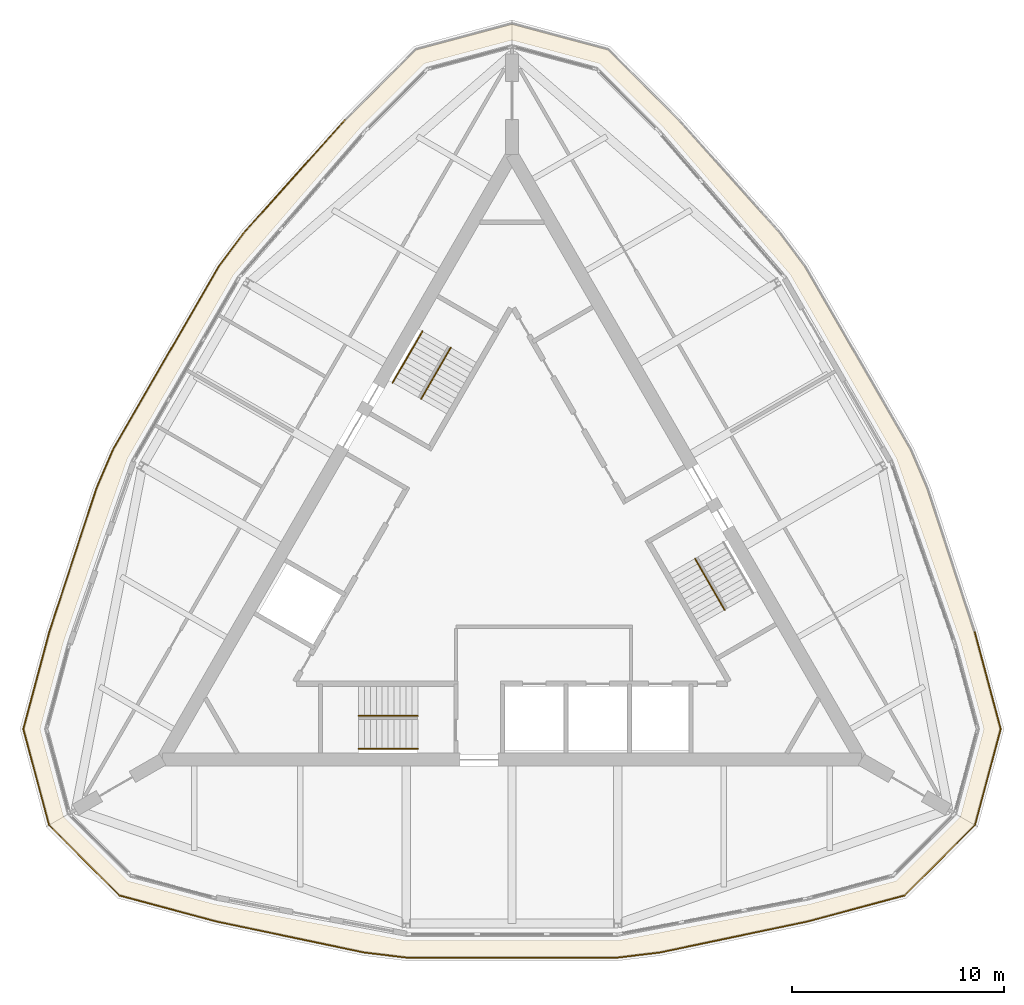
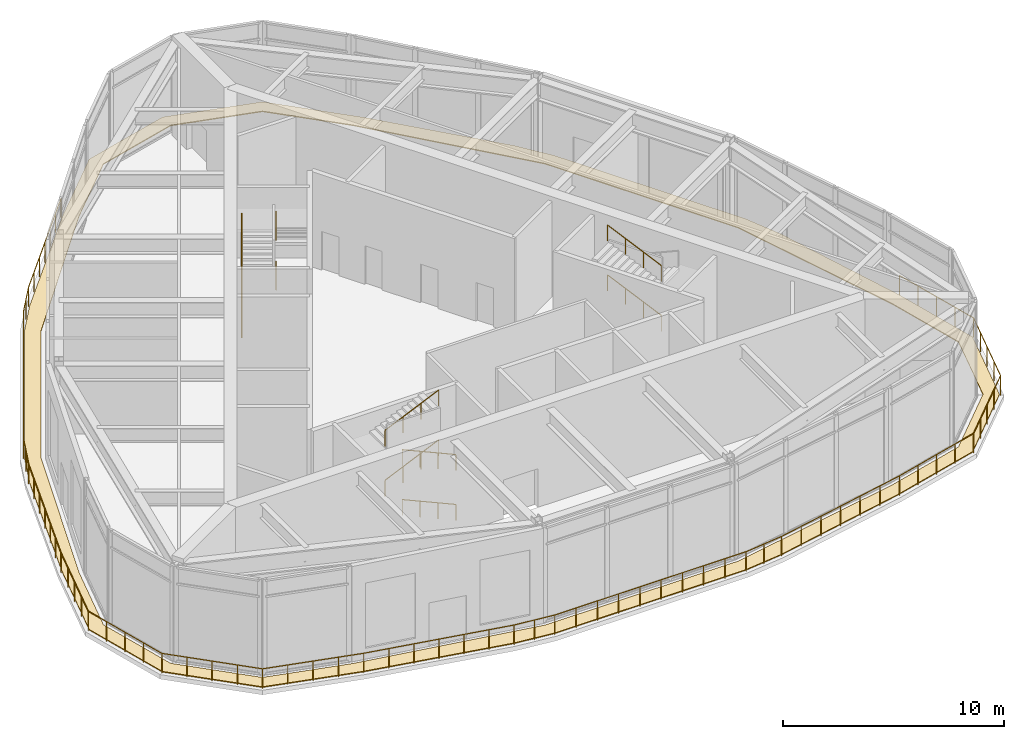
# One storey, part 8 of 9: 12 railings, 1 covering.
"""IFC4 building model written with IfcOpenShell, lengths in metres."""

from ifc_helpers import new_model, si_unit, direction, frame, origin, origin_2d, place, context, subcontext, project, spatial, polyline, circle, outline, extrude, material, layer, layer_set, type_object, element, save


model = new_model("IFC4")

# Units and contexts
model_context = context("Model", 3, precision=1e-05, world=origin(), true_north=direction((0.0, 1.0)))
body_context = subcontext(model_context, "Body", "Model", "MODEL_VIEW")
ifc_project = project(units=[si_unit("LENGTHUNIT", "METRE"), si_unit("AREAUNIT", "SQUARE_METRE"), si_unit("VOLUMEUNIT", "CUBIC_METRE"), si_unit("PLANEANGLEUNIT", "RADIAN"), si_unit("MASSUNIT", "GRAM", prefix="KILO")], contexts=[model_context])

# Site, building, storey
site_placement = place(None, origin())
site = spatial("IfcSite", under=ifc_project, at=site_placement, CompositionType="ELEMENT")
building_placement = place(site_placement, origin())
building = spatial("IfcBuilding", under=site, at=building_placement, Name="Trikona Tower", CompositionType="ELEMENT")
storey_placement = place(building_placement, frame((0.0, 0.0, 281.300048828125)))
storey = spatial("IfcBuildingStorey", under=building, at=storey_placement, Name="L74", CompositionType="ELEMENT", Elevation=281.300048828125)

# Railings
ifc_material_1 = material(Name="Stainless steel handrail", Category="steel")
railing_type_1 = type_object("IfcRailingType", Name="Stair handrail", PredefinedType="HANDRAIL", material=ifc_material_1)
railing_1_placement = place(storey_placement, frame((-4.449951171875, -9.016357421875, 0.125)))
element("IfcRailing", 1, at=railing_1_placement, inside=storey, type_object=railing_type_1, Name="Stair handrail A L74 1", PredefinedType="HANDRAIL", context=body_context, shape_type="SweptSolid", body=[
    extrude(circle(Radius=0.02392578125, at=origin_2d()), frame((0.0, 0.0, 0.8759765625), z_axis=(-0.913140528594, 0.0, 0.407644912931), x_axis=(0.0, -1.0, 0.0)), (0.0, 0.0, 1.0), 3.06640625),
    extrude(circle(Radius=0.02099609375, at=origin_2d()), origin(), (0.0, 0.0, 1.0), 0.851806640625),
    extrude(circle(Radius=0.02099609375, at=origin_2d()), frame((-0.933349609375, 0.0, 0.416748046875)), (0.0, 0.0, 1.0), 0.851806640625),
    extrude(circle(Radius=0.02099609375, at=origin_2d()), frame((-1.86669921875, 0.0, 0.833251953125)), (0.0, 0.0, 1.0), 0.851806640625),
    extrude(circle(Radius=0.02099609375, at=origin_2d()), frame((-2.800048828125, 0.0, 1.25)), (0.0, 0.0, 1.0), 0.851806640625),
])
railing_2_placement = place(storey_placement, frame((-7.25, -7.46630859375, 1.5)))
element("IfcRailing", 2, at=railing_2_placement, inside=storey, type_object=railing_type_1, Name="Stair handrail A L74 2", PredefinedType="HANDRAIL", context=body_context, shape_type="SweptSolid", body=[
    extrude(circle(Radius=0.02392578125, at=origin_2d()), frame((0.0, 0.0, 0.8759765625), z_axis=(0.913140528594, 0.0, 0.407644912931), x_axis=(0.0, 1.0, 0.0)), (0.0, 0.0, 1.0), 3.06640625),
    extrude(circle(Radius=0.02099609375, at=origin_2d()), origin(), (0.0, 0.0, 1.0), 0.851806640625),
    extrude(circle(Radius=0.02099609375, at=origin_2d()), frame((0.933349609375, 0.0, 0.416748046875)), (0.0, 0.0, 1.0), 0.851806640625),
    extrude(circle(Radius=0.02099609375, at=origin_2d()), frame((1.86669921875, 0.0, 0.833251953125)), (0.0, 0.0, 1.0), 0.851806640625),
    extrude(circle(Radius=0.02099609375, at=origin_2d()), frame((2.800048828125, 0.0, 1.25)), (0.0, 0.0, 1.0), 0.851806640625),
])
railing_3_placement = place(storey_placement, frame((-4.449951171875, -9.016357421875, 2.875)))
element("IfcRailing", 3, at=railing_3_placement, inside=storey, type_object=railing_type_1, Name="Stair handrail A L74 3", PredefinedType="HANDRAIL", context=body_context, shape_type="SweptSolid", body=[
    extrude(circle(Radius=0.02392578125, at=origin_2d()), frame((0.0, 0.0, 0.8759765625), z_axis=(-0.913140528594, 0.0, 0.407644912931), x_axis=(0.0, -1.0, 0.0)), (0.0, 0.0, 1.0), 3.06640625),
    extrude(circle(Radius=0.02099609375, at=origin_2d()), origin(), (0.0, 0.0, 1.0), 0.851806640625),
    extrude(circle(Radius=0.02099609375, at=origin_2d()), frame((-0.933349609375, 0.0, 0.416748046875)), (0.0, 0.0, 1.0), 0.851806640625),
    extrude(circle(Radius=0.02099609375, at=origin_2d()), frame((-1.86669921875, 0.0, 0.833251953125)), (0.0, 0.0, 1.0), 0.851806640625),
    extrude(circle(Radius=0.02099609375, at=origin_2d()), frame((-2.800048828125, 0.0, 1.25)), (0.0, 0.0, 1.0), 0.851806640625),
])
railing_4_placement = place(storey_placement, frame((-7.25, -7.46630859375, 4.25)))
element("IfcRailing", 4, at=railing_4_placement, inside=storey, type_object=railing_type_1, Name="Stair handrail A L74 4", PredefinedType="HANDRAIL", context=body_context, shape_type="SweptSolid", body=[
    extrude(circle(Radius=0.02392578125, at=origin_2d()), frame((0.0, 0.0, 0.8759765625), z_axis=(0.913140528594, 0.0, 0.407644912931), x_axis=(0.0, 1.0, 0.0)), (0.0, 0.0, 1.0), 3.06640625),
    extrude(circle(Radius=0.02099609375, at=origin_2d()), origin(), (0.0, 0.0, 1.0), 0.851806640625),
    extrude(circle(Radius=0.02099609375, at=origin_2d()), frame((0.933349609375, 0.0, 0.416748046875)), (0.0, 0.0, 1.0), 0.851806640625),
    extrude(circle(Radius=0.02099609375, at=origin_2d()), frame((1.86669921875, 0.0, 0.833251953125)), (0.0, 0.0, 1.0), 0.851806640625),
    extrude(circle(Radius=0.02099609375, at=origin_2d()), frame((2.800048828125, 0.0, 1.25)), (0.0, 0.0, 1.0), 0.851806640625),
])
for number, where, name in (
    (5, (10.041015625, -2.458984375, 1.5), "Stair handrail B L74 2"),
    (6, (10.041015625, -2.458984375, 4.25), "Stair handrail B L74 4"),
):
    element("IfcRailing", number, at=place(storey_placement, frame(where)), inside=storey, type_object=railing_type_1, Name=name, PredefinedType="HANDRAIL", context=body_context, shape_type="SweptSolid", body=[
        extrude(circle(Radius=0.02392578125, at=origin_2d()), frame((0.0, 0.0, 0.8759765625), z_axis=(-0.456522809549, 0.790833810125, 0.40763808596), x_axis=(-0.866056369097, -0.49994636267, 0.0)), (0.0, 0.0, 1.0), 3.06640625),
        extrude(circle(Radius=0.02099609375, at=origin_2d()), origin(), (0.0, 0.0, 1.0), 0.851806640625),
        extrude(circle(Radius=0.02099609375, at=origin_2d()), frame((-0.466552734375, 0.808349609375, 0.416748046875)), (0.0, 0.0, 1.0), 0.851806640625),
        extrude(circle(Radius=0.02099609375, at=origin_2d()), frame((-0.933349609375, 1.61669921875, 0.833251953125)), (0.0, 0.0, 1.0), 0.851806640625),
        extrude(circle(Radius=0.02099609375, at=origin_2d()), frame((-1.39990234375, 2.425048828125, 1.25)), (0.0, 0.0, 1.0), 0.851806640625),
    ])
railing_5_placement = place(storey_placement, frame((-5.63330078125, 8.275390625, 0.125)))
element("IfcRailing", 7, at=railing_5_placement, inside=storey, type_object=railing_type_1, Name="Stair handrail C L74 1", PredefinedType="HANDRAIL", context=body_context, shape_type="SweptSolid", body=[
    extrude(circle(Radius=0.02392578125, at=origin_2d()), frame((0.0, 0.0, 0.8759765625), z_axis=(0.456551555168, 0.790803984292, 0.407663753481), x_axis=(-0.866034573852, 0.49998411664, 0.0)), (0.0, 0.0, 1.0), 3.066162109375),
    extrude(circle(Radius=0.02099609375, at=origin_2d()), origin(), (0.0, 0.0, 1.0), 0.851806640625),
    extrude(circle(Radius=0.02099609375, at=origin_2d()), frame((0.466552734375, 0.808349609375, 0.416748046875)), (0.0, 0.0, 1.0), 0.851806640625),
    extrude(circle(Radius=0.02099609375, at=origin_2d()), frame((0.933349609375, 1.616455078125, 0.833251953125)), (0.0, 0.0, 1.0), 0.851806640625),
    extrude(circle(Radius=0.02099609375, at=origin_2d()), frame((1.39990234375, 2.4248046875, 1.25)), (0.0, 0.0, 1.0), 0.851806640625),
])
railing_6_placement = place(storey_placement, frame((-2.89111328125, 9.92529296875, 1.5)))
element("IfcRailing", 8, at=railing_6_placement, inside=storey, type_object=railing_type_1, Name="Stair handrail C L74 2", PredefinedType="HANDRAIL", context=body_context, shape_type="SweptSolid", body=[
    extrude(circle(Radius=0.02392578125, at=origin_2d()), frame((0.0, 0.0, 0.8759765625), z_axis=(-0.456522809549, -0.790833810125, 0.40763808596), x_axis=(0.866056369097, -0.49994636267, 0.0)), (0.0, 0.0, 1.0), 3.06640625),
    extrude(circle(Radius=0.02099609375, at=origin_2d()), origin(), (0.0, 0.0, 1.0), 0.851806640625),
    extrude(circle(Radius=0.02099609375, at=origin_2d()), frame((-0.466552734375, -0.808349609375, 0.416748046875)), (0.0, 0.0, 1.0), 0.851806640625),
    extrude(circle(Radius=0.02099609375, at=origin_2d()), frame((-0.933349609375, -1.61669921875, 0.833251953125)), (0.0, 0.0, 1.0), 0.851806640625),
    extrude(circle(Radius=0.02099609375, at=origin_2d()), frame((-1.39990234375, -2.425048828125, 1.25)), (0.0, 0.0, 1.0), 0.851806640625),
])
railing_7_placement = place(storey_placement, frame((-5.63330078125, 8.275390625, 2.875)))
element("IfcRailing", 9, at=railing_7_placement, inside=storey, type_object=railing_type_1, Name="Stair handrail C L74 3", PredefinedType="HANDRAIL", context=body_context, shape_type="SweptSolid", body=[
    extrude(circle(Radius=0.02392578125, at=origin_2d()), frame((0.0, 0.0, 0.8759765625), z_axis=(0.456551555168, 0.790803984292, 0.407663753481), x_axis=(-0.866034573852, 0.49998411664, 0.0)), (0.0, 0.0, 1.0), 3.066162109375),
    extrude(circle(Radius=0.02099609375, at=origin_2d()), origin(), (0.0, 0.0, 1.0), 0.851806640625),
    extrude(circle(Radius=0.02099609375, at=origin_2d()), frame((0.466552734375, 0.808349609375, 0.416748046875)), (0.0, 0.0, 1.0), 0.851806640625),
    extrude(circle(Radius=0.02099609375, at=origin_2d()), frame((0.933349609375, 1.616455078125, 0.833251953125)), (0.0, 0.0, 1.0), 0.851806640625),
    extrude(circle(Radius=0.02099609375, at=origin_2d()), frame((1.39990234375, 2.4248046875, 1.25)), (0.0, 0.0, 1.0), 0.851806640625),
])
railing_8_placement = place(storey_placement, frame((-2.89111328125, 9.92529296875, 4.25)))
element("IfcRailing", 10, at=railing_8_placement, inside=storey, type_object=railing_type_1, Name="Stair handrail C L74 4", PredefinedType="HANDRAIL", context=body_context, shape_type="SweptSolid", body=[
    extrude(circle(Radius=0.02392578125, at=origin_2d()), frame((0.0, 0.0, 0.8759765625), z_axis=(-0.456522809549, -0.790833810125, 0.40763808596), x_axis=(0.866056369097, -0.49994636267, 0.0)), (0.0, 0.0, 1.0), 3.06640625),
    extrude(circle(Radius=0.02099609375, at=origin_2d()), origin(), (0.0, 0.0, 1.0), 0.851806640625),
    extrude(circle(Radius=0.02099609375, at=origin_2d()), frame((-0.466552734375, -0.808349609375, 0.416748046875)), (0.0, 0.0, 1.0), 0.851806640625),
    extrude(circle(Radius=0.02099609375, at=origin_2d()), frame((-0.933349609375, -1.61669921875, 0.833251953125)), (0.0, 0.0, 1.0), 0.851806640625),
    extrude(circle(Radius=0.02099609375, at=origin_2d()), frame((-1.39990234375, -2.425048828125, 1.25)), (0.0, 0.0, 1.0), 0.851806640625),
])
ifc_material_2 = material(Name="Stainless steel guard with glass infill", Category="steel")
railing_type_2 = type_object("IfcRailingType", Name="Terrace guard 1100", PredefinedType="GUARDRAIL", material=ifc_material_2)
railing_9_placement = place(storey_placement, frame((-13.965087890625, -17.174560546875, 0.0)))
element("IfcRailing", 11, at=railing_9_placement, inside=storey, type_object=railing_type_2, Name="Terrace guard L74-1", PredefinedType="GUARDRAIL", context=body_context, shape_type="SweptSolid", body=[
    extrude(circle(Radius=0.02392578125, at=origin_2d()), frame((0.0, 0.0, 1.076171875), z_axis=(-0.965931490327, 0.258797905699, 0.0), x_axis=(-0.258797905699, -0.965931490327, 0.0)), (0.0, 0.0, 1.0), 4.737548828125),
    extrude(circle(Radius=0.02392578125, at=origin_2d()), frame((-4.576171875, 1.22607421875, 1.076171875), z_axis=(-0.707080815639, 0.707132745781, 0.0), x_axis=(-0.707132745781, -0.707080815639, 0.0)), (0.0, 0.0, 1.0), 4.701416015625),
    extrude(circle(Radius=0.02392578125, at=origin_2d()), frame((-7.900390625, 4.550537109375, 1.076171875), z_axis=(-0.258826071737, 0.965923943481, 0.0), x_axis=(-0.965923943481, -0.258826071737, 0.0)), (0.0, 0.0, 1.0), 4.701171875),
    extrude(circle(Radius=0.02392578125, at=origin_2d()), frame((-9.1171875, 9.091552734375, 1.076171875), z_axis=(0.258797905699, 0.965931490327, 0.0), x_axis=(-0.965931490327, 0.258797905699, 0.0)), (0.0, 0.0, 1.0), 4.737548828125),
    extrude(circle(Radius=0.02392578125, at=origin_2d()), frame((-7.89111328125, 13.667724609375, 1.076171875), z_axis=(0.311342193676, 0.950297868269, 0.0), x_axis=(-0.950297868269, 0.311342193676, 0.0)), (0.0, 0.0, 1.0), 7.14208984375),
    extrude(circle(Radius=0.02392578125, at=origin_2d()), frame((-5.66748046875, 20.454833984375, 1.076171875), z_axis=(0.393314794123, 0.919403868125, 0.0), x_axis=(-0.919403868125, 0.393314794123, 0.0)), (0.0, 0.0, 1.0), 1.998779296875),
    extrude(circle(Radius=0.02392578125, at=origin_2d()), frame((-4.88134765625, 22.29248046875, 1.076171875), z_axis=(0.499992741826, 0.866029594253, 0.0), x_axis=(-0.866029594253, 0.499992741826, 0.0)), (0.0, 0.0, 1.0), 9.982177734375),
    extrude(circle(Radius=0.02392578125, at=origin_2d()), frame((0.109619140625, 30.937255859375, 1.076171875), z_axis=(0.59960906487, 0.800293052154, 0.0), x_axis=(-0.800293052154, 0.59960906487, 0.0)), (0.0, 0.0, 1.0), 1.998779296875),
    extrude(circle(Radius=0.02392578125, at=origin_2d()), frame((1.30810546875, 32.536865234375, 1.076171875), z_axis=(0.667314300765, 0.744776224106, 0.0), x_axis=(-0.744776224106, 0.667314300765, 0.0)), (0.0, 0.0, 1.0), 7.141845703125),
    extrude(circle(Radius=0.02099609375, at=origin_2d()), origin(), (0.0, 0.0, 1.0), 1.052001953125),
    extrude(circle(Radius=0.02099609375, at=origin_2d()), frame((-1.14404296875, 0.306640625, 0.0)), (0.0, 0.0, 1.0), 1.052001953125),
    extrude(circle(Radius=0.02099609375, at=origin_2d()), frame((-2.2880859375, 0.613037109375, 0.0)), (0.0, 0.0, 1.0), 1.052001953125),
    extrude(circle(Radius=0.02099609375, at=origin_2d()), frame((-3.43212890625, 0.91943359375, 0.0)), (0.0, 0.0, 1.0), 1.052001953125),
    extrude(circle(Radius=0.02099609375, at=origin_2d()), frame((-4.576171875, 1.22607421875, 0.0)), (0.0, 0.0, 1.0), 1.052001953125),
    extrude(circle(Radius=0.02099609375, at=origin_2d()), frame((-5.4072265625, 2.05712890625, 0.0)), (0.0, 0.0, 1.0), 1.052001953125),
    extrude(circle(Radius=0.02099609375, at=origin_2d()), frame((-6.23828125, 2.88818359375, 0.0)), (0.0, 0.0, 1.0), 1.052001953125),
    extrude(circle(Radius=0.02099609375, at=origin_2d()), frame((-7.0693359375, 3.719482421875, 0.0)), (0.0, 0.0, 1.0), 1.052001953125),
    extrude(circle(Radius=0.02099609375, at=origin_2d()), frame((-7.900390625, 4.550537109375, 0.0)), (0.0, 0.0, 1.0), 1.052001953125),
    extrude(circle(Radius=0.02099609375, at=origin_2d()), frame((-8.20458984375, 5.685791015625, 0.0)), (0.0, 0.0, 1.0), 1.052001953125),
    extrude(circle(Radius=0.02099609375, at=origin_2d()), frame((-8.5087890625, 6.821044921875, 0.0)), (0.0, 0.0, 1.0), 1.052001953125),
    extrude(circle(Radius=0.02099609375, at=origin_2d()), frame((-8.81298828125, 7.956298828125, 0.0)), (0.0, 0.0, 1.0), 1.052001953125),
    extrude(circle(Radius=0.02099609375, at=origin_2d()), frame((-9.1171875, 9.091552734375, 0.0)), (0.0, 0.0, 1.0), 1.052001953125),
    extrude(circle(Radius=0.02099609375, at=origin_2d()), frame((-8.810546875, 10.235595703125, 0.0)), (0.0, 0.0, 1.0), 1.052001953125),
    extrude(circle(Radius=0.02099609375, at=origin_2d()), frame((-8.504150390625, 11.379638671875, 0.0)), (0.0, 0.0, 1.0), 1.052001953125),
    extrude(circle(Radius=0.02099609375, at=origin_2d()), frame((-8.19775390625, 12.523681640625, 0.0)), (0.0, 0.0, 1.0), 1.052001953125),
    extrude(circle(Radius=0.02099609375, at=origin_2d()), frame((-7.89111328125, 13.667724609375, 0.0)), (0.0, 0.0, 1.0), 1.052001953125),
    extrude(circle(Radius=0.02099609375, at=origin_2d()), frame((-7.5205078125, 14.798828125, 0.0)), (0.0, 0.0, 1.0), 1.052001953125),
    extrude(circle(Radius=0.02099609375, at=origin_2d()), frame((-7.14990234375, 15.93017578125, 0.0)), (0.0, 0.0, 1.0), 1.052001953125),
    extrude(circle(Radius=0.02099609375, at=origin_2d()), frame((-6.779296875, 17.061279296875, 0.0)), (0.0, 0.0, 1.0), 1.052001953125),
    extrude(circle(Radius=0.02099609375, at=origin_2d()), frame((-6.40869140625, 18.1923828125, 0.0)), (0.0, 0.0, 1.0), 1.052001953125),
    extrude(circle(Radius=0.02099609375, at=origin_2d()), frame((-6.0380859375, 19.32373046875, 0.0)), (0.0, 0.0, 1.0), 1.052001953125),
    extrude(circle(Radius=0.02099609375, at=origin_2d()), frame((-5.66748046875, 20.454833984375, 0.0)), (0.0, 0.0, 1.0), 1.052001953125),
    extrude(circle(Radius=0.02099609375, at=origin_2d()), frame((-5.2744140625, 21.37353515625, 0.0)), (0.0, 0.0, 1.0), 1.052001953125),
    extrude(circle(Radius=0.02099609375, at=origin_2d()), frame((-4.88134765625, 22.29248046875, 0.0)), (0.0, 0.0, 1.0), 1.052001953125),
    extrude(circle(Radius=0.02099609375, at=origin_2d()), frame((-4.326904296875, 23.2529296875, 0.0)), (0.0, 0.0, 1.0), 1.052001953125),
    extrude(circle(Radius=0.02099609375, at=origin_2d()), frame((-3.772216796875, 24.213623046875, 0.0)), (0.0, 0.0, 1.0), 1.052001953125),
    extrude(circle(Radius=0.02099609375, at=origin_2d()), frame((-3.2177734375, 25.174072265625, 0.0)), (0.0, 0.0, 1.0), 1.052001953125),
    extrude(circle(Radius=0.02099609375, at=origin_2d()), frame((-2.6630859375, 26.134521484375, 0.0)), (0.0, 0.0, 1.0), 1.052001953125),
    extrude(circle(Radius=0.02099609375, at=origin_2d()), frame((-2.108642578125, 27.09521484375, 0.0)), (0.0, 0.0, 1.0), 1.052001953125),
    extrude(circle(Radius=0.02099609375, at=origin_2d()), frame((-1.553955078125, 28.0556640625, 0.0)), (0.0, 0.0, 1.0), 1.052001953125),
    extrude(circle(Radius=0.02099609375, at=origin_2d()), frame((-0.99951171875, 29.01611328125, 0.0)), (0.0, 0.0, 1.0), 1.052001953125),
    extrude(circle(Radius=0.02099609375, at=origin_2d()), frame((-0.44482421875, 29.976806640625, 0.0)), (0.0, 0.0, 1.0), 1.052001953125),
    extrude(circle(Radius=0.02099609375, at=origin_2d()), frame((0.109619140625, 30.937255859375, 0.0)), (0.0, 0.0, 1.0), 1.052001953125),
    extrude(circle(Radius=0.02099609375, at=origin_2d()), frame((0.708984375, 31.737060546875, 0.0)), (0.0, 0.0, 1.0), 1.052001953125),
    extrude(circle(Radius=0.02099609375, at=origin_2d()), frame((1.30810546875, 32.536865234375, 0.0)), (0.0, 0.0, 1.0), 1.052001953125),
    extrude(circle(Radius=0.02099609375, at=origin_2d()), frame((2.1025390625, 33.42333984375, 0.0)), (0.0, 0.0, 1.0), 1.052001953125),
    extrude(circle(Radius=0.02099609375, at=origin_2d()), frame((2.896728515625, 34.309814453125, 0.0)), (0.0, 0.0, 1.0), 1.052001953125),
    extrude(circle(Radius=0.02099609375, at=origin_2d()), frame((3.69091796875, 35.1962890625, 0.0)), (0.0, 0.0, 1.0), 1.052001953125),
    extrude(circle(Radius=0.02099609375, at=origin_2d()), frame((4.4853515625, 36.0830078125, 0.0)), (0.0, 0.0, 1.0), 1.052001953125),
    extrude(circle(Radius=0.02099609375, at=origin_2d()), frame((5.27978515625, 36.969482421875, 0.0)), (0.0, 0.0, 1.0), 1.052001953125),
    extrude(circle(Radius=0.02099609375, at=origin_2d()), frame((6.073974609375, 37.85595703125, 0.0)), (0.0, 0.0, 1.0), 1.052001953125),
])
railing_10_placement = place(storey_placement, frame((21.856201171875, -3.5068359375, 0.0)))
element("IfcRailing", 12, at=railing_10_placement, inside=storey, type_object=railing_type_2, Name="Terrace guard L74-3", PredefinedType="GUARDRAIL", context=body_context, shape_type="SweptSolid", body=[
    extrude(circle(Radius=0.02392578125, at=origin_2d()), frame((0.0, 0.0, 1.076171875), z_axis=(0.258797905699, -0.965931490327, 0.0), x_axis=(0.965931490327, 0.258797905699, 0.0)), (0.0, 0.0, 1.0), 4.737548828125),
    extrude(circle(Radius=0.02392578125, at=origin_2d()), frame((1.22607421875, -4.576171875, 1.076171875), z_axis=(-0.258826071737, -0.965923943481, 0.0), x_axis=(0.965923943481, -0.258826071737, 0.0)), (0.0, 0.0, 1.0), 4.701171875),
    extrude(circle(Radius=0.02392578125, at=origin_2d()), frame((0.00927734375, -9.1171875, 1.076171875), z_axis=(-0.707080815639, -0.707132745781, 0.0), x_axis=(0.707132745781, -0.707080815639, 0.0)), (0.0, 0.0, 1.0), 4.701416015625),
    extrude(circle(Radius=0.02392578125, at=origin_2d()), frame((-3.31494140625, -12.441650390625, 1.076171875), z_axis=(-0.965931490327, -0.258797905699, 0.0), x_axis=(0.258797905699, -0.965931490327, 0.0)), (0.0, 0.0, 1.0), 4.737548828125),
    extrude(circle(Radius=0.02392578125, at=origin_2d()), frame((-7.89111328125, -13.667724609375, 1.076171875), z_axis=(-0.978654115387, -0.20551428767, 0.0), x_axis=(0.20551428767, -0.978654115387, 0.0)), (0.0, 0.0, 1.0), 7.141845703125),
    extrude(circle(Radius=0.02392578125, at=origin_2d()), frame((-14.880615234375, -15.135498046875, 1.076171875), z_axis=(-0.99286932322, -0.119207831155, 0.0), x_axis=(0.119207831155, -0.99286932322, 0.0)), (0.0, 0.0, 1.0), 1.998779296875),
    extrude(circle(Radius=0.02392578125, at=origin_2d()), frame((-16.865234375, -15.373779296875, 1.076171875), z_axis=(-1.0, 0.0, 0.0), x_axis=(0.0, -1.0, 0.0)), (0.0, 0.0, 1.0), 9.98193359375),
    extrude(circle(Radius=0.02392578125, at=origin_2d()), frame((-26.84716796875, -15.373779296875, 1.076171875), z_axis=(-0.99286932322, 0.119207831155, 0.0), x_axis=(-0.119207831155, -0.99286932322, 0.0)), (0.0, 0.0, 1.0), 1.998779296875),
    extrude(circle(Radius=0.02392578125, at=origin_2d()), frame((-28.831787109375, -15.135498046875, 1.076171875), z_axis=(-0.978654115387, 0.20551428767, 0.0), x_axis=(-0.20551428767, -0.978654115387, 0.0)), (0.0, 0.0, 1.0), 7.141845703125),
    extrude(circle(Radius=0.02099609375, at=origin_2d()), origin(), (0.0, 0.0, 1.0), 1.052001953125),
    extrude(circle(Radius=0.02099609375, at=origin_2d()), frame((0.306640625, -1.14404296875, 0.0)), (0.0, 0.0, 1.0), 1.052001953125),
    extrude(circle(Radius=0.02099609375, at=origin_2d()), frame((0.613037109375, -2.2880859375, 0.0)), (0.0, 0.0, 1.0), 1.052001953125),
    extrude(circle(Radius=0.02099609375, at=origin_2d()), frame((0.91943359375, -3.43212890625, 0.0)), (0.0, 0.0, 1.0), 1.052001953125),
    extrude(circle(Radius=0.02099609375, at=origin_2d()), frame((1.22607421875, -4.576171875, 0.0)), (0.0, 0.0, 1.0), 1.052001953125),
    extrude(circle(Radius=0.02099609375, at=origin_2d()), frame((0.921875, -5.71142578125, 0.0)), (0.0, 0.0, 1.0), 1.052001953125),
    extrude(circle(Radius=0.02099609375, at=origin_2d()), frame((0.61767578125, -6.8466796875, 0.0)), (0.0, 0.0, 1.0), 1.052001953125),
    extrude(circle(Radius=0.02099609375, at=origin_2d()), frame((0.3134765625, -7.98193359375, 0.0)), (0.0, 0.0, 1.0), 1.052001953125),
    extrude(circle(Radius=0.02099609375, at=origin_2d()), frame((0.00927734375, -9.1171875, 0.0)), (0.0, 0.0, 1.0), 1.052001953125),
    extrude(circle(Radius=0.02099609375, at=origin_2d()), frame((-0.82177734375, -9.9482421875, 0.0)), (0.0, 0.0, 1.0), 1.052001953125),
    extrude(circle(Radius=0.02099609375, at=origin_2d()), frame((-1.65283203125, -10.779296875, 0.0)), (0.0, 0.0, 1.0), 1.052001953125),
    extrude(circle(Radius=0.02099609375, at=origin_2d()), frame((-2.48388671875, -11.610595703125, 0.0)), (0.0, 0.0, 1.0), 1.052001953125),
    extrude(circle(Radius=0.02099609375, at=origin_2d()), frame((-3.31494140625, -12.441650390625, 0.0)), (0.0, 0.0, 1.0), 1.052001953125),
    extrude(circle(Radius=0.02099609375, at=origin_2d()), frame((-4.458984375, -12.748046875, 0.0)), (0.0, 0.0, 1.0), 1.052001953125),
    extrude(circle(Radius=0.02099609375, at=origin_2d()), frame((-5.60302734375, -13.0546875, 0.0)), (0.0, 0.0, 1.0), 1.052001953125),
    extrude(circle(Radius=0.02099609375, at=origin_2d()), frame((-6.7470703125, -13.361328125, 0.0)), (0.0, 0.0, 1.0), 1.052001953125),
    extrude(circle(Radius=0.02099609375, at=origin_2d()), frame((-7.89111328125, -13.667724609375, 0.0)), (0.0, 0.0, 1.0), 1.052001953125),
    extrude(circle(Radius=0.02099609375, at=origin_2d()), frame((-9.05615234375, -13.912353515625, 0.0)), (0.0, 0.0, 1.0), 1.052001953125),
    extrude(circle(Radius=0.02099609375, at=origin_2d()), frame((-10.220947265625, -14.156982421875, 0.0)), (0.0, 0.0, 1.0), 1.052001953125),
    extrude(circle(Radius=0.02099609375, at=origin_2d()), frame((-11.3857421875, -14.401611328125, 0.0)), (0.0, 0.0, 1.0), 1.052001953125),
    extrude(circle(Radius=0.02099609375, at=origin_2d()), frame((-12.55078125, -14.646240234375, 0.0)), (0.0, 0.0, 1.0), 1.052001953125),
    extrude(circle(Radius=0.02099609375, at=origin_2d()), frame((-13.7158203125, -14.890869140625, 0.0)), (0.0, 0.0, 1.0), 1.052001953125),
    extrude(circle(Radius=0.02099609375, at=origin_2d()), frame((-14.880615234375, -15.135498046875, 0.0)), (0.0, 0.0, 1.0), 1.052001953125),
    extrude(circle(Radius=0.02099609375, at=origin_2d()), frame((-15.873046875, -15.254638671875, 0.0)), (0.0, 0.0, 1.0), 1.052001953125),
    extrude(circle(Radius=0.02099609375, at=origin_2d()), frame((-16.865234375, -15.373779296875, 0.0)), (0.0, 0.0, 1.0), 1.052001953125),
    extrude(circle(Radius=0.02099609375, at=origin_2d()), frame((-17.974365234375, -15.373779296875, 0.0)), (0.0, 0.0, 1.0), 1.052001953125),
    extrude(circle(Radius=0.02099609375, at=origin_2d()), frame((-19.08349609375, -15.373779296875, 0.0)), (0.0, 0.0, 1.0), 1.052001953125),
    extrude(circle(Radius=0.02099609375, at=origin_2d()), frame((-20.192626953125, -15.373779296875, 0.0)), (0.0, 0.0, 1.0), 1.052001953125),
    extrude(circle(Radius=0.02099609375, at=origin_2d()), frame((-21.3017578125, -15.373779296875, 0.0)), (0.0, 0.0, 1.0), 1.052001953125),
    extrude(circle(Radius=0.02099609375, at=origin_2d()), frame((-22.41064453125, -15.373779296875, 0.0)), (0.0, 0.0, 1.0), 1.052001953125),
    extrude(circle(Radius=0.02099609375, at=origin_2d()), frame((-23.519775390625, -15.373779296875, 0.0)), (0.0, 0.0, 1.0), 1.052001953125),
    extrude(circle(Radius=0.02099609375, at=origin_2d()), frame((-24.62890625, -15.373779296875, 0.0)), (0.0, 0.0, 1.0), 1.052001953125),
    extrude(circle(Radius=0.02099609375, at=origin_2d()), frame((-25.738037109375, -15.373779296875, 0.0)), (0.0, 0.0, 1.0), 1.052001953125),
    extrude(circle(Radius=0.02099609375, at=origin_2d()), frame((-26.84716796875, -15.373779296875, 0.0)), (0.0, 0.0, 1.0), 1.052001953125),
    extrude(circle(Radius=0.02099609375, at=origin_2d()), frame((-27.83935546875, -15.254638671875, 0.0)), (0.0, 0.0, 1.0), 1.052001953125),
    extrude(circle(Radius=0.02099609375, at=origin_2d()), frame((-28.831787109375, -15.135498046875, 0.0)), (0.0, 0.0, 1.0), 1.052001953125),
    extrude(circle(Radius=0.02099609375, at=origin_2d()), frame((-29.99658203125, -14.890869140625, 0.0)), (0.0, 0.0, 1.0), 1.052001953125),
    extrude(circle(Radius=0.02099609375, at=origin_2d()), frame((-31.16162109375, -14.646240234375, 0.0)), (0.0, 0.0, 1.0), 1.052001953125),
    extrude(circle(Radius=0.02099609375, at=origin_2d()), frame((-32.32666015625, -14.401611328125, 0.0)), (0.0, 0.0, 1.0), 1.052001953125),
    extrude(circle(Radius=0.02099609375, at=origin_2d()), frame((-33.491455078125, -14.156982421875, 0.0)), (0.0, 0.0, 1.0), 1.052001953125),
    extrude(circle(Radius=0.02099609375, at=origin_2d()), frame((-34.65625, -13.912353515625, 0.0)), (0.0, 0.0, 1.0), 1.052001953125),
    extrude(circle(Radius=0.02099609375, at=origin_2d()), frame((-35.8212890625, -13.667724609375, 0.0)), (0.0, 0.0, 1.0), 1.052001953125),
])

# Covering
ifc_material_3 = material(Name="Clay brick pavers on pedestals", Category="masonry")
ifc_layer = layer(ifc_material_3, 0.050048828125)
ifc_layer_set = layer_set([ifc_layer], Name="Terrace paving 50")
covering_type = type_object("IfcCoveringType", Name="Terrace paving 50", PredefinedType="FLOORING", material=ifc_layer_set)
covering_placement = place(storey_placement, origin())
element("IfcCovering", 13, at=covering_placement, inside=storey, type_object=covering_type, Name="Terrace paving L74", PredefinedType="FLOORING", context=body_context, shape_type="SweptSolid", body=[
    extrude(outline(polyline([(-18.515380859375, -15.903564453125), (-13.95361328125, -17.1259765625), (-6.967529296875, -18.593017578125), (-4.988037109375, -18.83056640625), (4.988037109375, -18.83056640625), (6.967529296875, -18.593017578125), (13.95361328125, -17.1259765625), (18.515380859375, -15.903564453125), (21.82080078125, -12.59814453125), (23.030517578125, -8.0830078125), (21.80810546875, -3.521240234375), (19.585693359375, 3.262451171875), (18.8017578125, 5.095458984375), (13.813720703125, 13.735107421875), (12.618408203125, 15.33056640625), (7.854736328125, 20.647216796875), (4.515380859375, 23.986572265625), (0.0, 25.1962890625), (-4.515380859375, 23.986572265625), (-7.854736328125, 20.647216796875), (-12.618408203125, 15.33056640625), (-13.813720703125, 13.735107421875), (-18.8017578125, 5.095458984375), (-19.585693359375, 3.262451171875), (-21.80810546875, -3.521240234375), (-23.030517578125, -8.0830078125), (-21.82080078125, -12.59814453125), (-18.515380859375, -15.903564453125)]), holes=[polyline([(-14.041259765625, -16.362548828125), (-5.018798828125, -18.076171875), (5.018798828125, -18.076171875), (14.041259765625, -16.362548828125), (18.113525390625, -15.270751953125), (18.1328125, -15.26220703125), (18.151123046875, -15.251708984375), (18.179931640625, -15.228759765625), (21.145751953125, -12.2626953125), (21.168701171875, -12.23388671875), (21.17919921875, -12.2158203125), (21.19287109375, -12.181396484375), (22.2783203125, -8.1298828125), (22.283935546875, -8.093505859375), (22.283935546875, -8.072509765625), (22.28173828125, -8.051513671875), (21.19091796875, -3.978759765625), (18.163818359375, 4.691650390625), (13.14501953125, 13.384521484375), (7.14990234375, 20.34130859375), (4.179931640625, 23.3115234375), (4.151123046875, 23.334716796875), (4.1328125, 23.34521484375), (4.0986328125, 23.358642578125), (0.047119140625, 24.444091796875), (0.010498046875, 24.44970703125), (-0.010498046875, 24.44970703125), (-0.047119140625, 24.444091796875), (-4.0986328125, 23.358642578125), (-4.1328125, 23.34521484375), (-4.151123046875, 23.334716796875), (-4.168212890625, 23.322265625), (-7.14990234375, 20.34130859375), (-13.14501953125, 13.384521484375), (-18.163818359375, 4.691650390625), (-21.19091796875, -3.978759765625), (-22.2783203125, -8.035888671875), (-22.283935546875, -8.072509765625), (-22.283935546875, -8.093505859375), (-22.28173828125, -8.114501953125), (-21.19287109375, -12.181396484375), (-21.17919921875, -12.2158203125), (-21.168701171875, -12.23388671875), (-21.145751953125, -12.2626953125), (-18.179931640625, -15.228759765625), (-18.151123046875, -15.251708984375), (-18.1328125, -15.26220703125), (-18.0986328125, -15.275634765625), (-14.041259765625, -16.362548828125)])]), origin(), (0.0, 0.0, 1.0), 0.050048828125),
])

save(model, "model.ifc")
